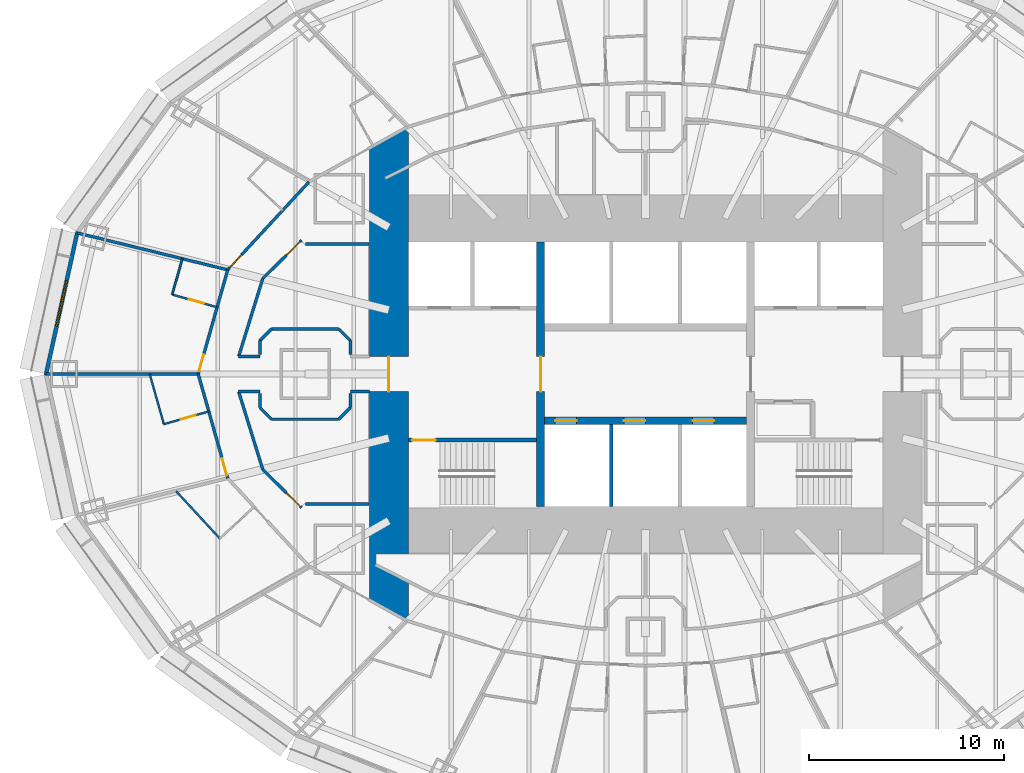
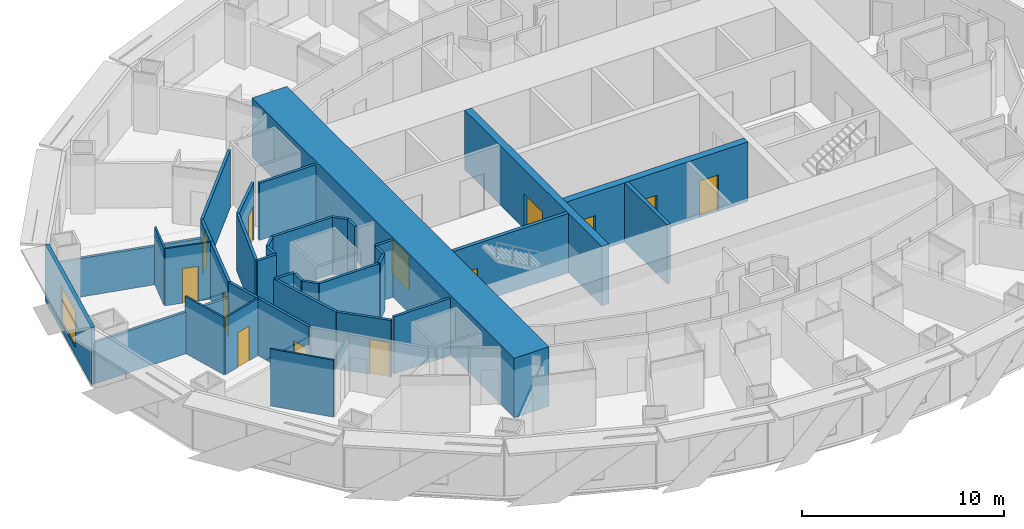
# One storey, part 6 of 17: 35 walls, 13 doors, 1 window, 14 openings.
"""IFC4 building model written with IfcOpenShell, lengths in metres."""

from ifc_helpers import new_model, si_unit, direction, frame, frame_2d, origin, place, context, subcontext, project, spatial, rectangle, extrude, material, layer, layer_set, type_object, element, fill, save


model = new_model("IFC4")

# Units and contexts
model_context = context("Model", 3, precision=1e-05, world=origin(), true_north=direction((0.0, 1.0)))
body_context = subcontext(model_context, "Body", "Model", "MODEL_VIEW")
ifc_project = project(units=[si_unit("LENGTHUNIT", "METRE"), si_unit("AREAUNIT", "SQUARE_METRE"), si_unit("VOLUMEUNIT", "CUBIC_METRE"), si_unit("PLANEANGLEUNIT", "RADIAN"), si_unit("MASSUNIT", "GRAM", prefix="KILO")], contexts=[model_context])

# Site, building, storey
site_placement = place(None, origin())
site = spatial("IfcSite", under=ifc_project, at=site_placement, CompositionType="ELEMENT")
building_placement = place(site_placement, origin())
building = spatial("IfcBuilding", under=site, at=building_placement, Name="Lantaw Convention Tower", CompositionType="ELEMENT")
storey_placement = place(building_placement, frame((0.0, 0.0, 69.39990234375)))
storey = spatial("IfcBuildingStorey", under=building, at=storey_placement, Name="L15", CompositionType="ELEMENT", Elevation=69.39990234375)

# Wall, opening, door
ifc_material_1 = material(Name="Moisture resistant gypsum board on steel studs", Category="steel")
ifc_layer_1 = layer(ifc_material_1, 0.10009765625)
ifc_layer_set_1 = layer_set([ifc_layer_1], Name="Bathroom wall 100")
wall_type_1 = type_object("IfcWallType", Name="Bathroom wall 100", PredefinedType="PARTITIONING", material=ifc_layer_set_1)
wall_1_placement = place(storey_placement, frame((-22.0283203125, 3.43212890625, 0.0), z_axis=(0.0, 0.0, 1.0), x_axis=(-0.962181399457, 0.272409534596, 0.0)))
wall_1 = element("IfcWall", 1, at=wall_1_placement, inside=storey, type_object=wall_type_1, Name="Bathroom wall 100", PredefinedType="PARTITIONING", context=body_context, shape_type="SweptSolid", body=[
    extrude(rectangle(XDim=2.400146484375, YDim=0.10009765625, at=frame_2d((1.2001953125, 0.0))), origin(), (0.0, 0.0, 1.0), 3.4501953125),
])
opening_1_placement = place(wall_1_placement, frame((0.699951171875, 0.0, 0.0)))
opening_1 = element("IfcOpeningElement", 2, at=opening_1_placement, cuts=wall_1, Name="Opening L15.45", PredefinedType="OPENING", context=body_context, shape_type="SweptSolid", body=[
    extrude(rectangle(XDim=0.800048828125, YDim=2.10009765625, at=frame_2d((0.39990234375, 1.050048828125))), frame((0.0, 0.06005859375, 0.0), z_axis=(0.0, -1.0, 0.0), x_axis=(1.0, 0.0, 0.0)), (0.0, 0.0, 1.0), 0.1201171875),
])
ifc_material_2 = material(Name="Timber", Category="wood")
door_type_1 = type_object("IfcDoorType", Name="Bathroom door 800", OperationType="SINGLE_SWING_LEFT", PredefinedType="DOOR", material=ifc_material_2)
door_1_placement = place(opening_1_placement, origin())
door_1 = element("IfcDoor", 3, at=door_1_placement, inside=storey, type_object=door_type_1, Name="Bathroom door", OperationType="SINGLE_SWING_LEFT", OverallHeight=2.10009765625, OverallWidth=0.800048828125, PredefinedType="DOOR", context=body_context, shape_type="SweptSolid", body=[
    extrude(rectangle(XDim=0.800048828125, YDim=2.10009765625, at=frame_2d((0.39990234375, 1.050048828125))), frame((0.0, 0.02490234375, 0.0), z_axis=(0.0, -1.0, 0.0), x_axis=(1.0, 0.0, 0.0)), (0.0, 0.0, 1.0), 0.050048828125),
])
fill(opening_1, door_1)

# Wall
wall_2_placement = place(storey_placement, frame((-24.337646484375, 4.0859375, 0.0), z_axis=(0.0, 0.0, 1.0), x_axis=(0.27242442481, 0.962177183666, 0.0)))
element("IfcWall", 4, at=wall_2_placement, inside=storey, type_object=wall_type_1, Name="Bathroom wall 100", PredefinedType="PARTITIONING", context=body_context, shape_type="SweptSolid", body=[
    extrude(rectangle(XDim=1.924072265625, YDim=0.10009765625, at=frame_2d((0.9619140625, 0.0))), origin(), (0.0, 0.0, 1.0), 3.4501953125),
])

# Wall, opening, door
wall_3_placement = place(storey_placement, frame((-22.455078125, -1.92431640625, 0.0), z_axis=(0.0, 0.0, 1.0), x_axis=(-0.962181399457, -0.272409534596, 0.0)))
wall_3 = element("IfcWall", 5, at=wall_3_placement, inside=storey, type_object=wall_type_1, Name="Bathroom wall 100", PredefinedType="PARTITIONING", context=body_context, shape_type="SweptSolid", body=[
    extrude(rectangle(XDim=2.400146484375, YDim=0.10009765625, at=frame_2d((1.2001953125, 0.0))), origin(), (0.0, 0.0, 1.0), 3.4501953125),
])
opening_2_placement = place(wall_3_placement, frame((0.699951171875, 0.0, 0.0)))
opening_2 = element("IfcOpeningElement", 6, at=opening_2_placement, cuts=wall_3, Name="Opening L15.47", PredefinedType="OPENING", context=body_context, shape_type="SweptSolid", body=[
    extrude(rectangle(XDim=0.800048828125, YDim=2.10009765625, at=frame_2d((0.39990234375, 1.050048828125))), frame((0.0, 0.06005859375, 0.0), z_axis=(0.0, -1.0, 0.0), x_axis=(1.0, 0.0, 0.0)), (0.0, 0.0, 1.0), 0.1201171875),
])
door_2_placement = place(opening_2_placement, origin())
door_2 = element("IfcDoor", 7, at=door_2_placement, inside=storey, type_object=door_type_1, Name="Bathroom door", OperationType="SINGLE_SWING_LEFT", OverallHeight=2.10009765625, OverallWidth=0.800048828125, PredefinedType="DOOR", context=body_context, shape_type="SweptSolid", body=[
    extrude(rectangle(XDim=0.800048828125, YDim=2.10009765625, at=frame_2d((0.39990234375, 1.050048828125))), frame((0.0, 0.02490234375, 0.0), z_axis=(0.0, -1.0, 0.0), x_axis=(1.0, 0.0, 0.0)), (0.0, 0.0, 1.0), 0.050048828125),
])
fill(opening_2, door_2)

# Walls
wall_4_placement = place(storey_placement, frame((-24.764404296875, -2.578125, 0.0), z_axis=(0.0, 0.0, 1.0), x_axis=(-0.272433880153, 0.962174506493, 0.0)))
element("IfcWall", 8, at=wall_4_placement, inside=storey, type_object=wall_type_1, Name="Bathroom wall 100", PredefinedType="PARTITIONING", context=body_context, shape_type="SweptSolid", body=[
    extrude(rectangle(XDim=2.679443359375, YDim=0.10009765625, at=frame_2d((1.33984375, 0.0))), origin(), (0.0, 0.0, 1.0), 3.4501953125),
])
wall_5_placement = place(storey_placement, frame((-21.888916015625, -8.4541015625, 0.0), z_axis=(0.0, 0.0, 1.0), x_axis=(-0.678653067823, 0.734458993773, 0.0)))
element("IfcWall", 9, at=wall_5_placement, inside=storey, type_object=wall_type_1, Name="Bathroom wall 100", PredefinedType="PARTITIONING", context=body_context, shape_type="SweptSolid", body=[
    extrude(rectangle(XDim=3.316162109375, YDim=0.10009765625, at=frame_2d((1.658203125, 0.0))), origin(), (0.0, 0.0, 1.0), 3.4501953125),
])

# Wall, opening, door
ifc_material_3 = material(Name="Concrete C60/75", Category="concrete")
ifc_layer_2 = layer(ifc_material_3, 0.199951171875)
ifc_layer_set_2 = layer_set([ifc_layer_2], Name="Core wall 200")
wall_type_2 = type_object("IfcWallType", Name="Core wall 200", PredefinedType="SHEAR", material=ifc_layer_set_2)
wall_6_placement = place(storey_placement, frame((-5.60009765625, -3.39990234375, 0.0), z_axis=(0.0, 0.0, 1.0), x_axis=(-1.0, 0.0, 0.0)))
wall_6 = element("IfcWall", 10, at=wall_6_placement, inside=storey, type_object=wall_type_2, Name="Core wall WS", PredefinedType="SHEAR", context=body_context, shape_type="SweptSolid", body=[
    extrude(rectangle(XDim=6.599853515625, YDim=0.199951171875, at=frame_2d((3.2998046875, 0.0))), origin(), (0.0, 0.0, 1.0), 3.60009765625),
])
opening_3_placement = place(wall_6_placement, frame((5.199951171875, 0.0, 0.0)))
opening_3 = element("IfcOpeningElement", 11, at=opening_3_placement, cuts=wall_6, Name="Opening L15.05", PredefinedType="OPENING", context=body_context, shape_type="SweptSolid", body=[
    extrude(rectangle(XDim=1.199951171875, YDim=2.10009765625, at=frame_2d((0.60009765625, 1.050048828125))), frame((0.0, 0.10986328125, 0.0), z_axis=(0.0, -1.0, 0.0), x_axis=(1.0, 0.0, 0.0)), (0.0, 0.0, 1.0), 0.219970703125),
])
ifc_material_4 = material(Name="Steel, fire rated", Category="steel")
door_type_2 = type_object("IfcDoorType", Name="Stair door FD90", OperationType="SINGLE_SWING_RIGHT", PredefinedType="DOOR", material=ifc_material_4)
door_3_placement = place(opening_3_placement, origin())
door_3 = element("IfcDoor", 12, at=door_3_placement, inside=storey, type_object=door_type_2, Name="Exit stair door", OperationType="SINGLE_SWING_RIGHT", OverallHeight=2.10009765625, OverallWidth=1.199951171875, PredefinedType="DOOR", context=body_context, shape_type="SweptSolid", body=[
    extrude(rectangle(XDim=1.199951171875, YDim=2.10009765625, at=frame_2d((0.60009765625, 1.050048828125))), frame((0.0, 0.02490234375, 0.0), z_axis=(0.0, -1.0, 0.0), x_axis=(1.0, 0.0, 0.0)), (0.0, 0.0, 1.0), 0.050048828125),
])
fill(opening_3, door_3)

ifc_layer_3 = layer(ifc_material_3, 2.0)
ifc_layer_set_3 = layer_set([ifc_layer_3], Name="Core wall 2000")
wall_type_3 = type_object("IfcWallType", Name="Core wall 2000", PredefinedType="SHEAR", material=ifc_layer_set_3)
wall_7_placement = place(storey_placement, frame((-13.199951171875, 13.0, 0.0), z_axis=(0.0, 0.0, 1.0), x_axis=(0.0, -1.0, 0.0)))
wall_7 = element("IfcWall", 13, at=wall_7_placement, inside=storey, type_object=wall_type_3, Name="Core wall W", PredefinedType="SHEAR", context=body_context, shape_type="SweptSolid", body=[
    extrude(rectangle(XDim=26.0, YDim=2.0, at=frame_2d((13.0, 0.0))), origin(), (0.0, 0.0, 1.0), 3.60009765625),
])
opening_4_placement = place(wall_7_placement, frame((12.10009765625, 0.0, 0.0)))
opening_4 = element("IfcOpeningElement", 14, at=opening_4_placement, cuts=wall_7, Name="Opening L15.07", PredefinedType="OPENING", context=body_context, shape_type="SweptSolid", body=[
    extrude(rectangle(XDim=1.800048828125, YDim=2.10009765625, at=frame_2d((0.89990234375, 1.050048828125))), frame((0.0, 1.010009765625, 0.0), z_axis=(0.0, -1.0, 0.0), x_axis=(1.0, 0.0, 0.0)), (0.0, 0.0, 1.0), 2.02001953125),
])
door_type_3 = type_object("IfcDoorType", Name="Lobby double door FD90", OperationType="DOUBLE_DOOR_DOUBLE_SWING", PredefinedType="DOOR", material=ifc_material_4)
door_4_placement = place(opening_4_placement, origin())
door_4 = element("IfcDoor", 15, at=door_4_placement, inside=storey, type_object=door_type_3, Name="Firefighting lobby door", OperationType="DOUBLE_DOOR_DOUBLE_SWING", OverallHeight=2.10009765625, OverallWidth=1.800048828125, PredefinedType="DOOR", context=body_context, shape_type="SweptSolid", body=[
    extrude(rectangle(XDim=1.800048828125, YDim=2.10009765625, at=frame_2d((0.89990234375, 1.050048828125))), frame((0.0, 0.02490234375, 0.0), z_axis=(0.0, -1.0, 0.0), x_axis=(1.0, 0.0, 0.0)), (0.0, 0.0, 1.0), 0.050048828125),
])
fill(opening_4, door_4)

ifc_layer_4 = layer(ifc_material_3, 0.39990234375)
ifc_layer_set_4 = layer_set([ifc_layer_4], Name="Core wall 400")
wall_type_4 = type_object("IfcWallType", Name="Core wall 400", PredefinedType="SHEAR", material=ifc_layer_set_4)
wall_8_placement = place(storey_placement, frame((-5.39990234375, 6.800048828125, 0.0), z_axis=(0.0, 0.0, 1.0), x_axis=(0.0, -1.0, 0.0)))
wall_8 = element("IfcWall", 16, at=wall_8_placement, inside=storey, type_object=wall_type_4, Name="Core wall XW", PredefinedType="SHEAR", context=body_context, shape_type="SweptSolid", body=[
    extrude(rectangle(XDim=13.60009765625, YDim=0.39990234375, at=frame_2d((6.800048828125, 0.0))), origin(), (0.0, 0.0, 1.0), 3.60009765625),
])
opening_5_placement = place(wall_8_placement, frame((5.89990234375, 0.0, 0.0)))
opening_5 = element("IfcOpeningElement", 17, at=opening_5_placement, cuts=wall_8, Name="Opening L15.03", PredefinedType="OPENING", context=body_context, shape_type="SweptSolid", body=[
    extrude(rectangle(XDim=1.800048828125, YDim=2.10009765625, at=frame_2d((0.89990234375, 1.050048828125))), frame((0.0, 0.2099609375, 0.0), z_axis=(0.0, -1.0, 0.0), x_axis=(1.0, 0.0, 0.0)), (0.0, 0.0, 1.0), 0.419921875),
])
door_5_placement = place(opening_5_placement, origin())
door_5 = element("IfcDoor", 18, at=door_5_placement, inside=storey, type_object=door_type_3, Name="Lift lobby door", OperationType="DOUBLE_DOOR_DOUBLE_SWING", OverallHeight=2.10009765625, OverallWidth=1.800048828125, PredefinedType="DOOR", context=body_context, shape_type="SweptSolid", body=[
    extrude(rectangle(XDim=1.800048828125, YDim=2.10009765625, at=frame_2d((0.89990234375, 1.050048828125))), frame((0.0, 0.02490234375, 0.0), z_axis=(0.0, -1.0, 0.0), x_axis=(1.0, 0.0, 0.0)), (0.0, 0.0, 1.0), 0.050048828125),
])
fill(opening_5, door_5)

# Wall, openings, doors
wall_9_placement = place(storey_placement, frame((-5.199951171875, -2.39990234375, 0.0), z_axis=(0.0, 0.0, 1.0), x_axis=(1.0, 0.0, 0.0)))
wall_9 = element("IfcWall", 19, at=wall_9_placement, inside=storey, type_object=wall_type_4, Name="Core wall BS", PredefinedType="SHEAR", context=body_context, shape_type="SweptSolid", body=[
    extrude(rectangle(XDim=10.39990234375, YDim=0.39990234375, at=frame_2d((5.199951171875, 0.0))), origin(), (0.0, 0.0, 1.0), 3.60009765625),
])
opening_6_placement = place(wall_9_placement, frame((0.550048828125, 0.0, 0.0)))
opening_6 = element("IfcOpeningElement", 20, at=opening_6_placement, cuts=wall_9, Name="Opening L15.08", PredefinedType="OPENING", context=body_context, shape_type="SweptSolid", body=[
    extrude(rectangle(XDim=1.10009765625, YDim=2.199951171875, at=frame_2d((0.550048828125, 1.10009765625))), frame((0.0, 0.2099609375, 0.0), z_axis=(0.0, -1.0, 0.0), x_axis=(1.0, 0.0, 0.0)), (0.0, 0.0, 1.0), 0.419921875),
])
opening_7_placement = place(wall_9_placement, frame((4.083251953125, 0.0, 0.0)))
opening_7 = element("IfcOpeningElement", 21, at=opening_7_placement, cuts=wall_9, Name="Opening L15.09", PredefinedType="OPENING", context=body_context, shape_type="SweptSolid", body=[
    extrude(rectangle(XDim=1.10009765625, YDim=2.199951171875, at=frame_2d((0.550048828125, 1.10009765625))), frame((0.0, 0.2099609375, 0.0), z_axis=(0.0, -1.0, 0.0), x_axis=(1.0, 0.0, 0.0)), (0.0, 0.0, 1.0), 0.419921875),
])
opening_8_placement = place(wall_9_placement, frame((7.61669921875, 0.0, 0.0)))
opening_8 = element("IfcOpeningElement", 22, at=opening_8_placement, cuts=wall_9, Name="Opening L15.10", PredefinedType="OPENING", context=body_context, shape_type="SweptSolid", body=[
    extrude(rectangle(XDim=1.10009765625, YDim=2.199951171875, at=frame_2d((0.550048828125, 1.10009765625))), frame((0.0, 0.2099609375, 0.0), z_axis=(0.0, -1.0, 0.0), x_axis=(1.0, 0.0, 0.0)), (0.0, 0.0, 1.0), 0.419921875),
])
ifc_material_5 = material(Name="Stainless steel", Category="steel")
door_type_4 = type_object("IfcDoorType", Name="Lift landing door 1100", OperationType="DOUBLE_DOOR_SLIDING", PredefinedType="DOOR", material=ifc_material_5)
door_6_placement = place(opening_6_placement, origin())
door_6 = element("IfcDoor", 23, at=door_6_placement, inside=storey, type_object=door_type_4, Name="Lift landing door H1", OperationType="DOUBLE_DOOR_SLIDING", OverallHeight=2.199951171875, OverallWidth=1.10009765625, PredefinedType="DOOR", context=body_context, shape_type="SweptSolid", body=[
    extrude(rectangle(XDim=1.10009765625, YDim=2.199951171875, at=frame_2d((0.550048828125, 1.10009765625))), frame((0.0, 0.02490234375, 0.0), z_axis=(0.0, -1.0, 0.0), x_axis=(1.0, 0.0, 0.0)), (0.0, 0.0, 1.0), 0.050048828125),
])
fill(opening_6, door_6)
door_7_placement = place(opening_7_placement, origin())
door_7 = element("IfcDoor", 24, at=door_7_placement, inside=storey, type_object=door_type_4, Name="Lift landing door H2", OperationType="DOUBLE_DOOR_SLIDING", OverallHeight=2.199951171875, OverallWidth=1.10009765625, PredefinedType="DOOR", context=body_context, shape_type="SweptSolid", body=[
    extrude(rectangle(XDim=1.10009765625, YDim=2.199951171875, at=frame_2d((0.550048828125, 1.10009765625))), frame((0.0, 0.02490234375, 0.0), z_axis=(0.0, -1.0, 0.0), x_axis=(1.0, 0.0, 0.0)), (0.0, 0.0, 1.0), 0.050048828125),
])
fill(opening_7, door_7)
door_8_placement = place(opening_8_placement, origin())
door_8 = element("IfcDoor", 25, at=door_8_placement, inside=storey, type_object=door_type_4, Name="Lift landing door H3", OperationType="DOUBLE_DOOR_SLIDING", OverallHeight=2.199951171875, OverallWidth=1.10009765625, PredefinedType="DOOR", context=body_context, shape_type="SweptSolid", body=[
    extrude(rectangle(XDim=1.10009765625, YDim=2.199951171875, at=frame_2d((0.550048828125, 1.10009765625))), frame((0.0, 0.02490234375, 0.0), z_axis=(0.0, -1.0, 0.0), x_axis=(1.0, 0.0, 0.0)), (0.0, 0.0, 1.0), 0.050048828125),
])
fill(opening_8, door_8)

# Wall, opening, door
ifc_material_6 = material(Name="Gypsum board on steel studs, fire rated", Category="steel")
ifc_layer_5 = layer(ifc_material_6, 0.14990234375)
ifc_layer_set_5 = layer_set([ifc_layer_5], Name="Corridor wall 150 EI 60")
wall_type_5 = type_object("IfcWallType", Name="Corridor wall 150 EI 60", PredefinedType="PARTITIONING", material=ifc_layer_set_5)
wall_10_placement = place(storey_placement, frame((-17.299072265625, 9.88525390625, 0.0), z_axis=(0.0, 0.0, 1.0), x_axis=(-0.678641806296, -0.734469399463, 0.0)))
wall_10 = element("IfcWall", 26, at=wall_10_placement, inside=storey, type_object=wall_type_5, Name="Corridor wall 150", PredefinedType="PARTITIONING", context=body_context, shape_type="SweptSolid", body=[
    extrude(rectangle(XDim=6.166015625, YDim=0.14990234375, at=frame_2d((3.0830078125, 0.0))), origin(), (0.0, 0.0, 1.0), 3.4501953125),
])
opening_9_placement = place(wall_10_placement, frame((5.115966796875, 0.0, 0.0)))
opening_9 = element("IfcOpeningElement", 27, at=opening_9_placement, cuts=wall_10, Name="Opening L15.44", PredefinedType="OPENING", context=body_context, shape_type="SweptSolid", body=[
    extrude(rectangle(XDim=0.89990234375, YDim=2.10009765625, at=frame_2d((0.449951171875, 1.050048828125))), frame((0.0, 0.0849609375, 0.0), z_axis=(0.0, -1.0, 0.0), x_axis=(1.0, 0.0, 0.0)), (0.0, 0.0, 1.0), 0.169921875),
])
door_type_5 = type_object("IfcDoorType", Name="Guest room entrance door FD30S", OperationType="SINGLE_SWING_LEFT", PredefinedType="DOOR", material=ifc_material_4)
door_9_placement = place(opening_9_placement, origin())
door_9 = element("IfcDoor", 28, at=door_9_placement, inside=storey, type_object=door_type_5, Name="Guest room entrance door", OperationType="SINGLE_SWING_LEFT", OverallHeight=2.10009765625, OverallWidth=0.89990234375, PredefinedType="DOOR", context=body_context, shape_type="SweptSolid", body=[
    extrude(rectangle(XDim=0.89990234375, YDim=2.10009765625, at=frame_2d((0.449951171875, 1.050048828125))), frame((0.0, 0.02490234375, 0.0), z_axis=(0.0, -1.0, 0.0), x_axis=(1.0, 0.0, 0.0)), (0.0, 0.0, 1.0), 0.050048828125),
])
fill(opening_9, door_9)

wall_11_placement = place(storey_placement, frame((-21.483642578125, 5.3564453125, 0.0), z_axis=(0.0, 0.0, 1.0), x_axis=(-0.272386051236, -0.962188047677, 0.0)))
wall_11 = element("IfcWall", 29, at=wall_11_placement, inside=storey, type_object=wall_type_5, Name="Corridor wall 150", PredefinedType="PARTITIONING", context=body_context, shape_type="SweptSolid", body=[
    extrude(rectangle(XDim=5.56689453125, YDim=0.14990234375, at=frame_2d((2.783447265625, 0.0))), origin(), (0.0, 0.0, 1.0), 3.4501953125),
])
opening_10_placement = place(wall_11_placement, frame((4.51708984375, 0.0, 0.0)))
opening_10 = element("IfcOpeningElement", 30, at=opening_10_placement, cuts=wall_11, Name="Opening L15.46", PredefinedType="OPENING", context=body_context, shape_type="SweptSolid", body=[
    extrude(rectangle(XDim=0.89990234375, YDim=2.10009765625, at=frame_2d((0.449951171875, 1.050048828125))), frame((0.0, 0.0849609375, 0.0), z_axis=(0.0, -1.0, 0.0), x_axis=(1.0, 0.0, 0.0)), (0.0, 0.0, 1.0), 0.169921875),
])
door_10_placement = place(opening_10_placement, origin())
door_10 = element("IfcDoor", 31, at=door_10_placement, inside=storey, type_object=door_type_5, Name="Guest room entrance door", OperationType="SINGLE_SWING_LEFT", OverallHeight=2.10009765625, OverallWidth=0.89990234375, PredefinedType="DOOR", context=body_context, shape_type="SweptSolid", body=[
    extrude(rectangle(XDim=0.89990234375, YDim=2.10009765625, at=frame_2d((0.449951171875, 1.050048828125))), frame((0.0, 0.02490234375, 0.0), z_axis=(0.0, -1.0, 0.0), x_axis=(1.0, 0.0, 0.0)), (0.0, 0.0, 1.0), 0.050048828125),
])
fill(opening_10, door_10)

wall_12_placement = place(storey_placement, frame((-23.0, 0.0, 0.0), z_axis=(0.0, 0.0, 1.0), x_axis=(0.272386051236, -0.962188047677, 0.0)))
wall_12 = element("IfcWall", 32, at=wall_12_placement, inside=storey, type_object=wall_type_5, Name="Corridor wall 150", PredefinedType="PARTITIONING", context=body_context, shape_type="SweptSolid", body=[
    extrude(rectangle(XDim=5.56689453125, YDim=0.14990234375, at=frame_2d((2.783447265625, 0.0))), origin(), (0.0, 0.0, 1.0), 3.4501953125),
])
opening_11_placement = place(wall_12_placement, frame((4.51708984375, 0.0, 0.0)))
opening_11 = element("IfcOpeningElement", 33, at=opening_11_placement, cuts=wall_12, Name="Opening L15.48", PredefinedType="OPENING", context=body_context, shape_type="SweptSolid", body=[
    extrude(rectangle(XDim=0.89990234375, YDim=2.10009765625, at=frame_2d((0.449951171875, 1.050048828125))), frame((0.0, 0.0849609375, 0.0), z_axis=(0.0, -1.0, 0.0), x_axis=(1.0, 0.0, 0.0)), (0.0, 0.0, 1.0), 0.169921875),
])
door_11_placement = place(opening_11_placement, origin())
door_11 = element("IfcDoor", 34, at=door_11_placement, inside=storey, type_object=door_type_5, Name="Guest room entrance door", OperationType="SINGLE_SWING_LEFT", OverallHeight=2.10009765625, OverallWidth=0.89990234375, PredefinedType="DOOR", context=body_context, shape_type="SweptSolid", body=[
    extrude(rectangle(XDim=0.89990234375, YDim=2.10009765625, at=frame_2d((0.449951171875, 1.050048828125))), frame((0.0, 0.02490234375, 0.0), z_axis=(0.0, -1.0, 0.0), x_axis=(1.0, 0.0, 0.0)), (0.0, 0.0, 1.0), 0.050048828125),
])
fill(opening_11, door_11)

# Walls
for number, where, z_axis, x_axis, name in (
    (35, (-19.6806640625, 4.906982421875, 0.0), (0.0, 0.0, 1.0), (-0.295778570807, -0.955256529447, 0.0), "Corridor wall 150"),
    (36, (-20.92138671875, -0.89990234375, 0.0), (0.0, 0.0, 1.0), (0.295778570807, -0.955256529447, 0.0), "Corridor wall 150"),
):
    element("IfcWall", number, at=place(storey_placement, frame(where, z_axis=z_axis, x_axis=x_axis)), inside=storey, type_object=wall_type_5, Name=name, PredefinedType="PARTITIONING", context=body_context, shape_type="SweptSolid", body=[
        extrude(rectangle(XDim=4.19482421875, YDim=0.14990234375, at=frame_2d((2.097412109375, 0.0))), origin(), (0.0, 0.0, 1.0), 3.4501953125),
    ])
wall_13_placement = place(storey_placement, frame((-14.199951171875, -0.89990234375, 0.0), z_axis=(0.0, 0.0, 1.0), x_axis=(-1.0, 0.0, 0.0)))
element("IfcWall", 37, at=wall_13_placement, inside=storey, type_object=wall_type_5, Name="Corridor wall 150", PredefinedType="PARTITIONING", context=body_context, shape_type="SweptSolid", body=[
    extrude(rectangle(XDim=0.965087890625, YDim=0.14990234375, at=frame_2d((0.482421875, 0.0))), origin(), (0.0, 0.0, 1.0), 3.4501953125),
])
for number, where, z_axis, x_axis, name in (
    (38, (-19.8349609375, -0.89990234375, 0.0), (0.0, 0.0, 1.0), (-1.0, 0.0, 0.0), "Corridor wall 150"),
    (39, (-19.8349609375, 0.89990234375, 0.0), (0.0, 0.0, 1.0), (-1.0, 0.0, 0.0), "Corridor wall 150"),
):
    element("IfcWall", number, at=place(storey_placement, frame(where, z_axis=z_axis, x_axis=x_axis)), inside=storey, type_object=wall_type_5, Name=name, PredefinedType="PARTITIONING", context=body_context, shape_type="SweptSolid", body=[
        extrude(rectangle(XDim=1.08642578125, YDim=0.14990234375, at=frame_2d((0.543212890625, 0.0))), origin(), (0.0, 0.0, 1.0), 3.4501953125),
    ])
wall_14_placement = place(storey_placement, frame((-19.824951171875, 1.003173828125, 0.0), z_axis=(0.0, 0.0, 1.0), x_axis=(0.0, 1.0, 0.0)))
element("IfcWall", 40, at=wall_14_placement, inside=storey, type_object=wall_type_5, Name="Corridor wall 150", PredefinedType="PARTITIONING", context=body_context, shape_type="SweptSolid", body=[
    extrude(rectangle(XDim=0.721435546875, YDim=0.14990234375, at=frame_2d((0.36083984375, 0.0))), origin(), (0.0, 0.0, 1.0), 3.4501953125),
])
wall_15_placement = place(storey_placement, frame((-19.824951171875, 1.724609375, 0.0), z_axis=(0.0, 0.0, 1.0), x_axis=(0.707106781187, 0.707106781187, 0.0)))
element("IfcWall", 41, at=wall_15_placement, inside=storey, type_object=wall_type_5, Name="Corridor wall 150", PredefinedType="PARTITIONING", context=body_context, shape_type="SweptSolid", body=[
    extrude(rectangle(XDim=0.84912109375, YDim=0.14990234375, at=frame_2d((0.424560546875, 0.0))), origin(), (0.0, 0.0, 1.0), 3.4501953125),
])
wall_16_placement = place(storey_placement, frame((-19.224609375, 2.324951171875, 0.0), z_axis=(0.0, 0.0, 1.0), x_axis=(1.0, 0.0, 0.0)))
element("IfcWall", 42, at=wall_16_placement, inside=storey, type_object=wall_type_5, Name="Corridor wall 150", PredefinedType="PARTITIONING", context=body_context, shape_type="SweptSolid", body=[
    extrude(rectangle(XDim=3.44921875, YDim=0.14990234375, at=frame_2d((1.724609375, 0.0))), origin(), (0.0, 0.0, 1.0), 3.4501953125),
])
wall_17_placement = place(storey_placement, frame((-15.775390625, 2.324951171875, 0.0), z_axis=(0.0, 0.0, 1.0), x_axis=(0.707106781187, -0.707106781187, 0.0)))
element("IfcWall", 43, at=wall_17_placement, inside=storey, type_object=wall_type_5, Name="Corridor wall 150", PredefinedType="PARTITIONING", context=body_context, shape_type="SweptSolid", body=[
    extrude(rectangle(XDim=0.84912109375, YDim=0.14990234375, at=frame_2d((0.424560546875, 0.0))), origin(), (0.0, 0.0, 1.0), 3.4501953125),
])
for number, where, z_axis, x_axis, name in (
    (44, (-15.175048828125, 1.724609375, 0.0), (0.0, 0.0, 1.0), (0.0, -1.0, 0.0), "Corridor wall 150"),
    (45, (-19.824951171875, -1.724609375, 0.0), (0.0, 0.0, 1.0), (0.0, 1.0, 0.0), "Corridor wall 150"),
    (46, (-15.175048828125, -1.003173828125, 0.0), (0.0, 0.0, 1.0), (0.0, -1.0, 0.0), "Corridor wall 150"),
):
    element("IfcWall", number, at=place(storey_placement, frame(where, z_axis=z_axis, x_axis=x_axis)), inside=storey, type_object=wall_type_5, Name=name, PredefinedType="PARTITIONING", context=body_context, shape_type="SweptSolid", body=[
        extrude(rectangle(XDim=0.721435546875, YDim=0.14990234375, at=frame_2d((0.36083984375, 0.0))), origin(), (0.0, 0.0, 1.0), 3.4501953125),
    ])
wall_18_placement = place(storey_placement, frame((-15.175048828125, -1.724609375, 0.0), z_axis=(0.0, 0.0, 1.0), x_axis=(-0.707106781187, -0.707106781187, 0.0)))
element("IfcWall", 47, at=wall_18_placement, inside=storey, type_object=wall_type_5, Name="Corridor wall 150", PredefinedType="PARTITIONING", context=body_context, shape_type="SweptSolid", body=[
    extrude(rectangle(XDim=0.84912109375, YDim=0.14990234375, at=frame_2d((0.424560546875, 0.0))), origin(), (0.0, 0.0, 1.0), 3.4501953125),
])
wall_19_placement = place(storey_placement, frame((-15.775390625, -2.324951171875, 0.0), z_axis=(0.0, 0.0, 1.0), x_axis=(-1.0, 0.0, 0.0)))
element("IfcWall", 48, at=wall_19_placement, inside=storey, type_object=wall_type_5, Name="Corridor wall 150", PredefinedType="PARTITIONING", context=body_context, shape_type="SweptSolid", body=[
    extrude(rectangle(XDim=3.44921875, YDim=0.14990234375, at=frame_2d((1.724609375, 0.0))), origin(), (0.0, 0.0, 1.0), 3.4501953125),
])
wall_20_placement = place(storey_placement, frame((-19.224609375, -2.324951171875, 0.0), z_axis=(0.0, 0.0, 1.0), x_axis=(-0.707106781187, 0.707106781187, 0.0)))
element("IfcWall", 49, at=wall_20_placement, inside=storey, type_object=wall_type_5, Name="Corridor wall 150", PredefinedType="PARTITIONING", context=body_context, shape_type="SweptSolid", body=[
    extrude(rectangle(XDim=0.84912109375, YDim=0.14990234375, at=frame_2d((0.424560546875, 0.0))), origin(), (0.0, 0.0, 1.0), 3.4501953125),
])

# Wall, opening, door
wall_21_placement = place(storey_placement, frame((-19.6806640625, -4.906982421875, 0.0), z_axis=(0.0, 0.0, 1.0), x_axis=(0.710845937688, -0.70334774676, 0.0)))
wall_21 = element("IfcWall", 50, at=wall_21_placement, inside=storey, type_object=wall_type_5, Name="Corridor wall 150", PredefinedType="PARTITIONING", context=body_context, shape_type="SweptSolid", body=[
    extrude(rectangle(XDim=2.800048828125, YDim=0.14990234375, at=frame_2d((1.39990234375, 0.0))), origin(), (0.0, 0.0, 1.0), 3.4501953125),
])
opening_12_placement = place(wall_21_placement, frame((1.699951171875, 0.0, 0.0)))
opening_12 = element("IfcOpeningElement", 51, at=opening_12_placement, cuts=wall_21, Name="Opening L15.22", PredefinedType="OPENING", context=body_context, shape_type="SweptSolid", body=[
    extrude(rectangle(XDim=1.0, YDim=2.10009765625, at=frame_2d((0.5, 1.050048828125))), frame((0.0, 0.0849609375, 0.0), z_axis=(0.0, -1.0, 0.0), x_axis=(1.0, 0.0, 0.0)), (0.0, 0.0, 1.0), 0.169921875),
])
door_type_6 = type_object("IfcDoorType", Name="Service door 1000 FD30", OperationType="SINGLE_SWING_LEFT", PredefinedType="DOOR", material=ifc_material_4)
door_12_placement = place(opening_12_placement, origin())
door_12 = element("IfcDoor", 52, at=door_12_placement, inside=storey, type_object=door_type_6, Name="Staff room door", OperationType="SINGLE_SWING_LEFT", OverallHeight=2.10009765625, OverallWidth=1.0, PredefinedType="DOOR", context=body_context, shape_type="SweptSolid", body=[
    extrude(rectangle(XDim=1.0, YDim=2.10009765625, at=frame_2d((0.5, 1.050048828125))), frame((0.0, 0.02490234375, 0.0), z_axis=(0.0, -1.0, 0.0), x_axis=(1.0, 0.0, 0.0)), (0.0, 0.0, 1.0), 0.050048828125),
])
fill(opening_12, door_12)

# Wall
wall_22_placement = place(storey_placement, frame((-17.474609375, -6.675048828125, 0.0), z_axis=(0.0, 0.0, 1.0), x_axis=(1.0, 0.0, 0.0)))
element("IfcWall", 53, at=wall_22_placement, inside=storey, type_object=wall_type_5, Name="Corridor wall 150", PredefinedType="PARTITIONING", context=body_context, shape_type="SweptSolid", body=[
    extrude(rectangle(XDim=3.24462890625, YDim=0.14990234375, at=frame_2d((1.622314453125, 0.0))), origin(), (0.0, 0.0, 1.0), 3.4501953125),
])

# Wall, opening, door
wall_23_placement = place(storey_placement, frame((-17.690185546875, 6.87646484375, 0.0), z_axis=(0.0, 0.0, 1.0), x_axis=(-0.710845937688, -0.70334774676, 0.0)))
wall_23 = element("IfcWall", 54, at=wall_23_placement, inside=storey, type_object=wall_type_5, Name="Corridor wall 150", PredefinedType="PARTITIONING", context=body_context, shape_type="SweptSolid", body=[
    extrude(rectangle(XDim=2.800048828125, YDim=0.14990234375, at=frame_2d((1.39990234375, 0.0))), origin(), (0.0, 0.0, 1.0), 3.4501953125),
])
opening_13_placement = place(wall_23_placement, frame((0.10009765625, 0.0, 0.0)))
opening_13 = element("IfcOpeningElement", 55, at=opening_13_placement, cuts=wall_23, Name="Opening L15.20", PredefinedType="OPENING", context=body_context, shape_type="SweptSolid", body=[
    extrude(rectangle(XDim=1.0, YDim=2.10009765625, at=frame_2d((0.5, 1.050048828125))), frame((0.0, 0.0849609375, 0.0), z_axis=(0.0, -1.0, 0.0), x_axis=(1.0, 0.0, 0.0)), (0.0, 0.0, 1.0), 0.169921875),
])
door_13_placement = place(opening_13_placement, origin())
door_13 = element("IfcDoor", 56, at=door_13_placement, inside=storey, type_object=door_type_6, Name="Housekeeping room door", OperationType="SINGLE_SWING_LEFT", OverallHeight=2.10009765625, OverallWidth=1.0, PredefinedType="DOOR", context=body_context, shape_type="SweptSolid", body=[
    extrude(rectangle(XDim=1.0, YDim=2.10009765625, at=frame_2d((0.5, 1.050048828125))), frame((0.0, 0.02490234375, 0.0), z_axis=(0.0, -1.0, 0.0), x_axis=(1.0, 0.0, 0.0)), (0.0, 0.0, 1.0), 0.050048828125),
])
fill(opening_13, door_13)

# Wall
wall_24_placement = place(storey_placement, frame((-14.22998046875, 6.675048828125, 0.0), z_axis=(0.0, 0.0, 1.0), x_axis=(-1.0, 0.0, 0.0)))
element("IfcWall", 57, at=wall_24_placement, inside=storey, type_object=wall_type_5, Name="Corridor wall 150", PredefinedType="PARTITIONING", context=body_context, shape_type="SweptSolid", body=[
    extrude(rectangle(XDim=3.24462890625, YDim=0.14990234375, at=frame_2d((1.622314453125, 0.0))), origin(), (0.0, 0.0, 1.0), 3.4501953125),
])

# Wall, opening, window
ifc_material_7 = material(Name="Insulated aluminium panel on steel frame", Category="steel")
ifc_layer_6 = layer(ifc_material_7, 0.199951171875)
ifc_layer_set_6 = layer_set([ifc_layer_6], Name="External wall 200")
wall_type_6 = type_object("IfcWallType", Name="External wall 200", PredefinedType="SOLIDWALL", material=ifc_layer_set_6)
wall_25_placement = place(storey_placement, frame((-29.207763671875, 7.318115234375, 0.0), z_axis=(0.0, 0.0, 1.0), x_axis=(-0.215238065514, -0.976561608478, 0.0)))
wall_25 = element("IfcWall", 58, at=wall_25_placement, inside=storey, type_object=wall_type_6, Name="Facade panel wall", PredefinedType="SOLIDWALL", context=body_context, shape_type="SweptSolid", body=[
    extrude(rectangle(XDim=7.562255859375, YDim=0.199951171875, at=frame_2d((3.78125, 0.0))), origin(), (0.0, 0.0, 1.0), 3.4501953125),
])
opening_14_placement = place(wall_25_placement, frame((2.581298828125, 0.0, 0.5)))
opening_14 = element("IfcOpeningElement", 59, at=opening_14_placement, cuts=wall_25, Name="Opening W1", PredefinedType="OPENING", context=body_context, shape_type="SweptSolid", body=[
    extrude(rectangle(XDim=2.39990234375, YDim=2.199951171875, at=frame_2d((1.199951171875, 1.10009765625))), frame((0.0, 0.10986328125, 0.0), z_axis=(0.0, -1.0, 0.0), x_axis=(1.0, 0.0, 0.0)), (0.0, 0.0, 1.0), 0.219970703125),
])
ifc_material_8 = material(Name="Aluminium frame, clear insulating glass", Category="aluminium")
window_type = type_object("IfcWindowType", Name="Guest room window 2400x2200", PartitioningType="SINGLE_PANEL", PredefinedType="WINDOW", material=ifc_material_8)
window_placement = place(opening_14_placement, origin())
window = element("IfcWindow", 60, at=window_placement, inside=storey, type_object=window_type, Name="Guest room window", OverallHeight=2.199951171875, OverallWidth=2.39990234375, PartitioningType="SINGLE_PANEL", PredefinedType="WINDOW", context=body_context, shape_type="SweptSolid", body=[
    extrude(rectangle(XDim=2.39990234375, YDim=2.199951171875, at=frame_2d((1.199951171875, 1.10009765625))), frame((0.0, 0.030029296875, 0.0), z_axis=(0.0, -1.0, 0.0), x_axis=(1.0, 0.0, 0.0)), (0.0, 0.0, 1.0), 0.06005859375),
])
fill(opening_14, window)

# Walls
ifc_material_9 = material(Name="Gypsum board on steel studs, acoustic", Category="steel")
ifc_layer_7 = layer(ifc_material_9, 0.14990234375)
ifc_layer_set_7 = layer_set([ifc_layer_7], Name="Guest room party wall 150")
wall_type_7 = type_object("IfcWallType", Name="Guest room party wall 150", PredefinedType="PARTITIONING", material=ifc_layer_set_7)
wall_26_placement = place(storey_placement, frame((-29.221923828125, 7.253662109375, 0.0), z_axis=(0.0, 0.0, 1.0), x_axis=(0.971235585172, -0.238120637695, 0.0)))
element("IfcWall", 61, at=wall_26_placement, inside=storey, type_object=wall_type_7, Name="Guest room party wall 150", PredefinedType="PARTITIONING", context=body_context, shape_type="SweptSolid", body=[
    extrude(rectangle(XDim=7.967529296875, YDim=0.14990234375, at=frame_2d((3.98388671875, 0.0))), origin(), (0.0, 0.0, 1.0), 2.33251953125),
])
wall_27_placement = place(storey_placement, frame((-30.82080078125, 0.0, 0.0), z_axis=(0.0, 0.0, 1.0), x_axis=(1.0, 0.0, 0.0)))
element("IfcWall", 62, at=wall_27_placement, inside=storey, type_object=wall_type_7, Name="Guest room party wall 150", PredefinedType="PARTITIONING", context=body_context, shape_type="SweptSolid", body=[
    extrude(rectangle(XDim=7.82080078125, YDim=0.14990234375, at=frame_2d((3.910400390625, 0.0))), origin(), (0.0, 0.0, 1.0), 2.528076171875),
])
ifc_material_10 = material(Name="Concrete blockwork, fire rated", Category="masonry")
ifc_layer_8 = layer(ifc_material_10, 0.199951171875)
ifc_layer_set_8 = layer_set([ifc_layer_8], Name="Shaft wall 200 load-bearing")
wall_type_8 = type_object("IfcWallType", Name="Shaft wall 200 load-bearing", PredefinedType="SOLIDWALL", material=ifc_layer_set_8)
wall_28_placement = place(storey_placement, frame((-1.7666015625, -2.60009765625, 0.0), z_axis=(0.0, 0.0, 1.0), x_axis=(0.0, -1.0, 0.0)))
element("IfcWall", 63, at=wall_28_placement, inside=storey, type_object=wall_type_8, Name="Shaft wall DS1", PredefinedType="SOLIDWALL", context=body_context, shape_type="SweptSolid", body=[
    extrude(rectangle(XDim=4.199951171875, YDim=0.199951171875, at=frame_2d((2.10009765625, 0.0))), origin(), (0.0, 0.0, 1.0), 3.60009765625),
])

save(model, "model.ifc")
